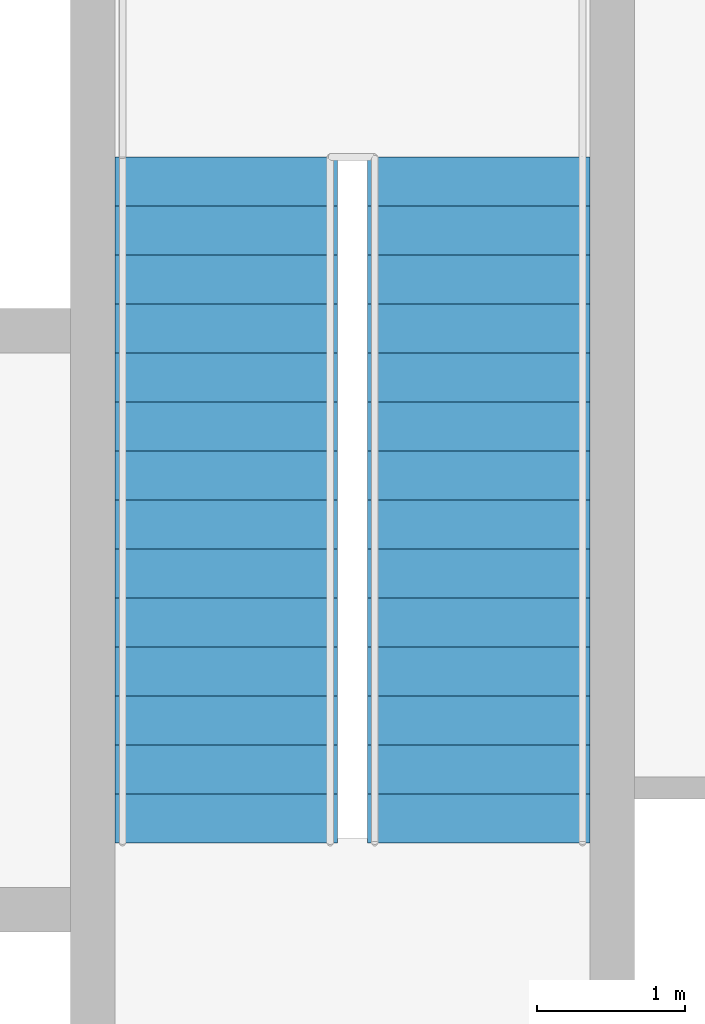
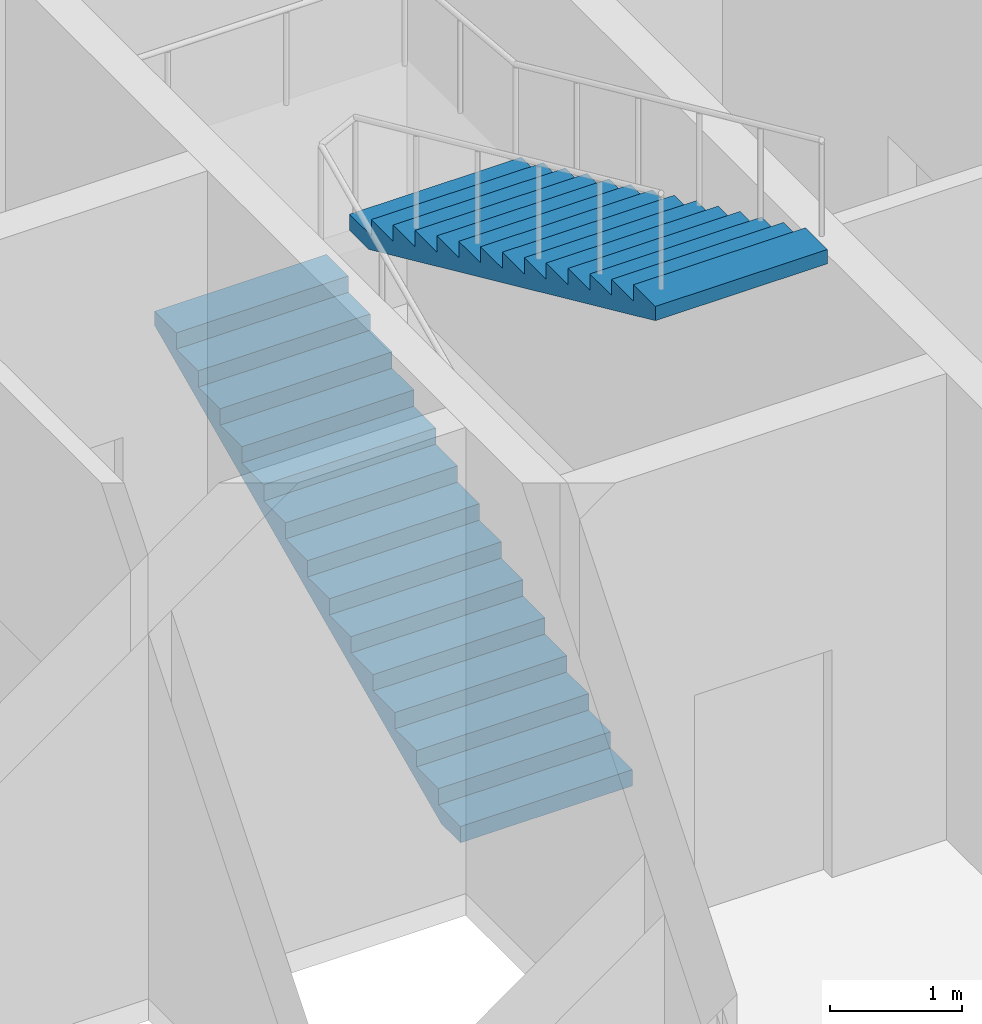
# One storey, part 10 of 11: 2 stair flights, 1 element without a shape of its own.
"""IFC4 building model written with IfcOpenShell, lengths in metres."""

from ifc_helpers import new_model, si_unit, direction, frame, origin, place, context, subcontext, project, spatial, polygons, material, type_object, element, aggregate, save


model = new_model("IFC4")

# Units and contexts
model_context = context("Model", 3, precision=1e-05, world=origin(), true_north=direction((0.0, 1.0)))
body_context = subcontext(model_context, "Body", "Model", "MODEL_VIEW")
ifc_project = project(units=[si_unit("LENGTHUNIT", "METRE"), si_unit("AREAUNIT", "SQUARE_METRE"), si_unit("VOLUMEUNIT", "CUBIC_METRE"), si_unit("PLANEANGLEUNIT", "RADIAN"), si_unit("MASSUNIT", "GRAM", prefix="KILO")], contexts=[model_context])

# Site, building, storey
site_placement = place(None, origin())
site = spatial("IfcSite", under=ifc_project, at=site_placement, CompositionType="ELEMENT")
building_placement = place(site_placement, origin())
building = spatial("IfcBuilding", under=site, at=building_placement, Name="Njiva Tower", CompositionType="ELEMENT")
storey_placement = place(building_placement, frame((0.0, 0.0, 115.8)))
storey = spatial("IfcBuildingStorey", under=building, at=storey_placement, Name="L24", CompositionType="ELEMENT", Elevation=115.8)

# Stair, stair flights
ifc_material = material(Name="Concrete C40/50", Category="concrete")
stair_type = type_object("IfcStairType", Name="ST4 Exit stair 1500", PredefinedType="HALF_TURN_STAIR", material=ifc_material)
stair_placement = place(storey_placement, origin())
stair = element("IfcStair", 1, at=stair_placement, inside=storey, type_object=stair_type, Name="Stair B", PredefinedType="HALF_TURN_STAIR")
stair_flight_type = type_object("IfcStairFlightType", Name="FL4 Stair flight 1500", PredefinedType="STRAIGHT", material=ifc_material)
stair_flight_1_placement = place(storey_placement, frame((11.75, 11.1, 0.0), z_axis=(0.0, 0.0, 1.0), x_axis=(0.0, 1.0, 0.0)))
stair_flight_1 = element("IfcStairFlight", 2, at=stair_flight_1_placement, type_object=stair_flight_type, Name="ST-B flight 1", NumberOfRisers=15, NumberOfTreads=14, PredefinedType="STRAIGHT", RiserHeight=0.15, TreadLength=0.33, context=body_context, shape_type="Tessellation", body=[
    polygons([(0.0, 0.75, 0.0), (0.0, 0.375, 0.0), (0.0, 0.0, 0.0), (0.0, -0.375, 0.0), (0.0, -0.75, 0.0), (0.0, 0.75, 0.15), (0.0, 0.375, 0.15), (0.0, 0.0, 0.15), (0.0, -0.375, 0.15), (0.0, -0.75, 0.15), (0.33, 0.75, 0.15), (0.33, 0.375, 0.15), (0.33, 0.0, 0.15), (0.33, -0.375, 0.15), (0.33, -0.75, 0.15), (0.33, 0.75, 0.3), (0.33, 0.375, 0.3), (0.33, 0.0, 0.3), (0.33, -0.375, 0.3), (0.33, -0.75, 0.3), (0.66, 0.75, 0.3), (0.66, 0.375, 0.3), (0.66, 0.0, 0.3), (0.66, -0.375, 0.3), (0.66, -0.75, 0.3), (0.66, 0.75, 0.45), (0.66, 0.375, 0.45), (0.66, 0.0, 0.45), (0.66, -0.375, 0.45), (0.66, -0.75, 0.45), (0.99, 0.75, 0.45), (0.99, 0.375, 0.45), (0.99, 0.0, 0.45), (0.99, -0.375, 0.45), (0.99, -0.75, 0.45), (0.99, 0.75, 0.6), (0.99, 0.375, 0.6), (0.99, 0.0, 0.6), (0.99, -0.375, 0.6), (0.99, -0.75, 0.6), (1.32, 0.75, 0.6), (1.32, 0.375, 0.6), (1.32, 0.0, 0.6), (1.32, -0.375, 0.6), (1.32, -0.75, 0.6), (1.32, 0.75, 0.75), (1.32, 0.375, 0.75), (1.32, 0.0, 0.75), (1.32, -0.375, 0.75), (1.32, -0.75, 0.75), (1.65, 0.75, 0.75), (1.65, 0.375, 0.75), (1.65, 0.0, 0.75), (1.65, -0.375, 0.75), (1.65, -0.75, 0.75), (1.65, 0.75, 0.9), (1.65, 0.375, 0.9), (1.65, 0.0, 0.9), (1.65, -0.375, 0.9), (1.65, -0.75, 0.9), (1.98, 0.75, 0.9), (1.98, 0.375, 0.9), (1.98, 0.0, 0.9), (1.98, -0.375, 0.9), (1.98, -0.75, 0.9), (1.98, 0.75, 1.05), (1.98, 0.375, 1.05), (1.98, 0.0, 1.05), (1.98, -0.375, 1.05), (1.98, -0.75, 1.05), (2.31, 0.75, 1.05), (2.31, 0.375, 1.05), (2.31, 0.0, 1.05), (2.31, -0.375, 1.05), (2.31, -0.75, 1.05), (2.31, 0.75, 1.2), (2.31, 0.375, 1.2), (2.31, 0.0, 1.2), (2.31, -0.375, 1.2), (2.31, -0.75, 1.2), (2.64, 0.75, 1.2), (2.64, 0.375, 1.2), (2.64, 0.0, 1.2), (2.64, -0.375, 1.2), (2.64, -0.75, 1.2), (2.64, 0.75, 1.35), (2.64, 0.375, 1.35), (2.64, 0.0, 1.35), (2.64, -0.375, 1.35), (2.64, -0.75, 1.35), (2.97, 0.75, 1.35), (2.97, 0.375, 1.35), (2.97, 0.0, 1.35), (2.97, -0.375, 1.35), (2.97, -0.75, 1.35), (2.97, 0.75, 1.5), (2.97, 0.375, 1.5), (2.97, 0.0, 1.5), (2.97, -0.375, 1.5), (2.97, -0.75, 1.5), (3.3, 0.75, 1.5), (3.3, 0.375, 1.5), (3.3, 0.0, 1.5), (3.3, -0.375, 1.5), (3.3, -0.75, 1.5), (3.3, 0.75, 1.65), (3.3, 0.375, 1.65), (3.3, 0.0, 1.65), (3.3, -0.375, 1.65), (3.3, -0.75, 1.65), (3.63, 0.75, 1.65), (3.63, 0.375, 1.65), (3.63, 0.0, 1.65), (3.63, -0.375, 1.65), (3.63, -0.75, 1.65), (3.63, 0.75, 1.8), (3.63, 0.375, 1.8), (3.63, 0.0, 1.8), (3.63, -0.375, 1.8), (3.63, -0.75, 1.8), (3.96, 0.75, 1.8), (3.96, 0.375, 1.8), (3.96, 0.0, 1.8), (3.96, -0.375, 1.8), (3.96, -0.75, 1.8), (3.96, 0.75, 1.95), (3.96, 0.375, 1.95), (3.96, 0.0, 1.95), (3.96, -0.375, 1.95), (3.96, -0.75, 1.95), (4.29, 0.75, 1.95), (4.29, 0.375, 1.95), (4.29, 0.0, 1.95), (4.29, -0.375, 1.95), (4.29, -0.75, 1.95), (4.29, 0.75, 2.1), (4.29, 0.375, 2.1), (4.29, 0.0, 2.1), (4.29, -0.375, 2.1), (4.29, -0.75, 2.1), (4.62, 0.75, 2.1), (4.62, 0.375, 2.1), (4.62, 0.0, 2.1), (4.62, -0.375, 2.1), (4.62, -0.75, 2.1), (4.62, 0.75, 1.9682), (4.62, 0.375, 1.9682), (4.62, 0.0, 1.9682), (4.62, -0.375, 1.9682), (4.62, -0.75, 1.9682), (0.29, 0.75, 0.0), (0.29, 0.375, 0.0), (0.29, 0.0, 0.0), (0.29, -0.375, 0.0), (0.29, -0.75, 0.0)], [[[1, 6, 11, 16, 21, 26, 31, 36, 41, 46, 51, 56, 61, 66, 71, 76, 81, 86, 91, 96, 101, 106, 111, 116, 121, 126, 131, 136, 141, 146, 151]], [[155, 150, 145, 140, 135, 130, 125, 120, 115, 110, 105, 100, 95, 90, 85, 80, 75, 70, 65, 60, 55, 50, 45, 40, 35, 30, 25, 20, 15, 10, 5]], [[6, 1, 2, 7]], [[7, 2, 3, 8]], [[8, 3, 4, 9]], [[9, 4, 5, 10]], [[11, 6, 7, 12]], [[12, 7, 8, 13]], [[13, 8, 9, 14]], [[14, 9, 10, 15]], [[16, 11, 12, 17]], [[17, 12, 13, 18]], [[18, 13, 14, 19]], [[19, 14, 15, 20]], [[21, 16, 17, 22]], [[22, 17, 18, 23]], [[23, 18, 19, 24]], [[24, 19, 20, 25]], [[26, 21, 22, 27]], [[27, 22, 23, 28]], [[28, 23, 24, 29]], [[29, 24, 25, 30]], [[31, 26, 27, 32]], [[32, 27, 28, 33]], [[33, 28, 29, 34]], [[34, 29, 30, 35]], [[36, 31, 32, 37]], [[37, 32, 33, 38]], [[38, 33, 34, 39]], [[39, 34, 35, 40]], [[41, 36, 37, 42]], [[42, 37, 38, 43]], [[43, 38, 39, 44]], [[44, 39, 40, 45]], [[46, 41, 42, 47]], [[47, 42, 43, 48]], [[48, 43, 44, 49]], [[49, 44, 45, 50]], [[51, 46, 47, 52]], [[52, 47, 48, 53]], [[53, 48, 49, 54]], [[54, 49, 50, 55]], [[56, 51, 52, 57]], [[57, 52, 53, 58]], [[58, 53, 54, 59]], [[59, 54, 55, 60]], [[61, 56, 57, 62]], [[62, 57, 58, 63]], [[63, 58, 59, 64]], [[64, 59, 60, 65]], [[66, 61, 62, 67]], [[67, 62, 63, 68]], [[68, 63, 64, 69]], [[69, 64, 65, 70]], [[71, 66, 67, 72]], [[72, 67, 68, 73]], [[73, 68, 69, 74]], [[74, 69, 70, 75]], [[76, 71, 72, 77]], [[77, 72, 73, 78]], [[78, 73, 74, 79]], [[79, 74, 75, 80]], [[81, 76, 77, 82]], [[82, 77, 78, 83]], [[83, 78, 79, 84]], [[84, 79, 80, 85]], [[86, 81, 82, 87]], [[87, 82, 83, 88]], [[88, 83, 84, 89]], [[89, 84, 85, 90]], [[91, 86, 87, 92]], [[92, 87, 88, 93]], [[93, 88, 89, 94]], [[94, 89, 90, 95]], [[96, 91, 92, 97]], [[97, 92, 93, 98]], [[98, 93, 94, 99]], [[99, 94, 95, 100]], [[101, 96, 97, 102]], [[102, 97, 98, 103]], [[103, 98, 99, 104]], [[104, 99, 100, 105]], [[106, 101, 102, 107]], [[107, 102, 103, 108]], [[108, 103, 104, 109]], [[109, 104, 105, 110]], [[111, 106, 107, 112]], [[112, 107, 108, 113]], [[113, 108, 109, 114]], [[114, 109, 110, 115]], [[116, 111, 112, 117]], [[117, 112, 113, 118]], [[118, 113, 114, 119]], [[119, 114, 115, 120]], [[121, 116, 117, 122]], [[122, 117, 118, 123]], [[123, 118, 119, 124]], [[124, 119, 120, 125]], [[126, 121, 122, 127]], [[127, 122, 123, 128]], [[128, 123, 124, 129]], [[129, 124, 125, 130]], [[131, 126, 127, 132]], [[132, 127, 128, 133]], [[133, 128, 129, 134]], [[134, 129, 130, 135]], [[136, 131, 132, 137]], [[137, 132, 133, 138]], [[138, 133, 134, 139]], [[139, 134, 135, 140]], [[141, 136, 137, 142]], [[142, 137, 138, 143]], [[143, 138, 139, 144]], [[144, 139, 140, 145]], [[146, 141, 142, 147]], [[147, 142, 143, 148]], [[148, 143, 144, 149]], [[149, 144, 145, 150]], [[151, 146, 147, 152]], [[152, 147, 148, 153]], [[153, 148, 149, 154]], [[154, 149, 150, 155]], [[1, 151, 152, 2]], [[2, 152, 153, 3]], [[3, 153, 154, 4]], [[4, 154, 155, 5]]], closed=True),
])
stair_flight_2_placement = place(storey_placement, frame((13.45, 15.72, 2.25), z_axis=(0.0, 0.0, 1.0), x_axis=(0.0, -1.0, 0.0)))
stair_flight_2 = element("IfcStairFlight", 3, at=stair_flight_2_placement, type_object=stair_flight_type, Name="ST-B flight 2", NumberOfRisers=15, NumberOfTreads=14, PredefinedType="STRAIGHT", RiserHeight=0.15, TreadLength=0.33, context=body_context, shape_type="Tessellation", body=[
    polygons([(0.0, 0.75, 0.0), (0.0, 0.375, 0.0), (0.0, 0.0, 0.0), (0.0, -0.375, 0.0), (0.0, -0.75, 0.0), (0.0, 0.75, 0.15), (0.0, 0.375, 0.15), (0.0, 0.0, 0.15), (0.0, -0.375, 0.15), (0.0, -0.75, 0.15), (0.33, 0.75, 0.15), (0.33, 0.375, 0.15), (0.33, 0.0, 0.15), (0.33, -0.375, 0.15), (0.33, -0.75, 0.15), (0.33, 0.75, 0.3), (0.33, 0.375, 0.3), (0.33, 0.0, 0.3), (0.33, -0.375, 0.3), (0.33, -0.75, 0.3), (0.66, 0.75, 0.3), (0.66, 0.375, 0.3), (0.66, 0.0, 0.3), (0.66, -0.375, 0.3), (0.66, -0.75, 0.3), (0.66, 0.75, 0.45), (0.66, 0.375, 0.45), (0.66, 0.0, 0.45), (0.66, -0.375, 0.45), (0.66, -0.75, 0.45), (0.99, 0.75, 0.45), (0.99, 0.375, 0.45), (0.99, 0.0, 0.45), (0.99, -0.375, 0.45), (0.99, -0.75, 0.45), (0.99, 0.75, 0.6), (0.99, 0.375, 0.6), (0.99, 0.0, 0.6), (0.99, -0.375, 0.6), (0.99, -0.75, 0.6), (1.32, 0.75, 0.6), (1.32, 0.375, 0.6), (1.32, 0.0, 0.6), (1.32, -0.375, 0.6), (1.32, -0.75, 0.6), (1.32, 0.75, 0.75), (1.32, 0.375, 0.75), (1.32, 0.0, 0.75), (1.32, -0.375, 0.75), (1.32, -0.75, 0.75), (1.65, 0.75, 0.75), (1.65, 0.375, 0.75), (1.65, 0.0, 0.75), (1.65, -0.375, 0.75), (1.65, -0.75, 0.75), (1.65, 0.75, 0.9), (1.65, 0.375, 0.9), (1.65, 0.0, 0.9), (1.65, -0.375, 0.9), (1.65, -0.75, 0.9), (1.98, 0.75, 0.9), (1.98, 0.375, 0.9), (1.98, 0.0, 0.9), (1.98, -0.375, 0.9), (1.98, -0.75, 0.9), (1.98, 0.75, 1.05), (1.98, 0.375, 1.05), (1.98, 0.0, 1.05), (1.98, -0.375, 1.05), (1.98, -0.75, 1.05), (2.31, 0.75, 1.05), (2.31, 0.375, 1.05), (2.31, 0.0, 1.05), (2.31, -0.375, 1.05), (2.31, -0.75, 1.05), (2.31, 0.75, 1.2), (2.31, 0.375, 1.2), (2.31, 0.0, 1.2), (2.31, -0.375, 1.2), (2.31, -0.75, 1.2), (2.64, 0.75, 1.2), (2.64, 0.375, 1.2), (2.64, 0.0, 1.2), (2.64, -0.375, 1.2), (2.64, -0.75, 1.2), (2.64, 0.75, 1.35), (2.64, 0.375, 1.35), (2.64, 0.0, 1.35), (2.64, -0.375, 1.35), (2.64, -0.75, 1.35), (2.97, 0.75, 1.35), (2.97, 0.375, 1.35), (2.97, 0.0, 1.35), (2.97, -0.375, 1.35), (2.97, -0.75, 1.35), (2.97, 0.75, 1.5), (2.97, 0.375, 1.5), (2.97, 0.0, 1.5), (2.97, -0.375, 1.5), (2.97, -0.75, 1.5), (3.3, 0.75, 1.5), (3.3, 0.375, 1.5), (3.3, 0.0, 1.5), (3.3, -0.375, 1.5), (3.3, -0.75, 1.5), (3.3, 0.75, 1.65), (3.3, 0.375, 1.65), (3.3, 0.0, 1.65), (3.3, -0.375, 1.65), (3.3, -0.75, 1.65), (3.63, 0.75, 1.65), (3.63, 0.375, 1.65), (3.63, 0.0, 1.65), (3.63, -0.375, 1.65), (3.63, -0.75, 1.65), (3.63, 0.75, 1.8), (3.63, 0.375, 1.8), (3.63, 0.0, 1.8), (3.63, -0.375, 1.8), (3.63, -0.75, 1.8), (3.96, 0.75, 1.8), (3.96, 0.375, 1.8), (3.96, 0.0, 1.8), (3.96, -0.375, 1.8), (3.96, -0.75, 1.8), (3.96, 0.75, 1.95), (3.96, 0.375, 1.95), (3.96, 0.0, 1.95), (3.96, -0.375, 1.95), (3.96, -0.75, 1.95), (4.29, 0.75, 1.95), (4.29, 0.375, 1.95), (4.29, 0.0, 1.95), (4.29, -0.375, 1.95), (4.29, -0.75, 1.95), (4.29, 0.75, 2.1), (4.29, 0.375, 2.1), (4.29, 0.0, 2.1), (4.29, -0.375, 2.1), (4.29, -0.75, 2.1), (4.62, 0.75, 2.1), (4.62, 0.375, 2.1), (4.62, 0.0, 2.1), (4.62, -0.375, 2.1), (4.62, -0.75, 2.1), (4.62, 0.75, 1.9682), (4.62, 0.375, 1.9682), (4.62, 0.0, 1.9682), (4.62, -0.375, 1.9682), (4.62, -0.75, 1.9682), (0.29, 0.75, 0.0), (0.29, 0.375, 0.0), (0.29, 0.0, 0.0), (0.29, -0.375, 0.0), (0.29, -0.75, 0.0)], [[[1, 6, 11, 16, 21, 26, 31, 36, 41, 46, 51, 56, 61, 66, 71, 76, 81, 86, 91, 96, 101, 106, 111, 116, 121, 126, 131, 136, 141, 146, 151]], [[155, 150, 145, 140, 135, 130, 125, 120, 115, 110, 105, 100, 95, 90, 85, 80, 75, 70, 65, 60, 55, 50, 45, 40, 35, 30, 25, 20, 15, 10, 5]], [[6, 1, 2, 7]], [[7, 2, 3, 8]], [[8, 3, 4, 9]], [[9, 4, 5, 10]], [[11, 6, 7, 12]], [[12, 7, 8, 13]], [[13, 8, 9, 14]], [[14, 9, 10, 15]], [[16, 11, 12, 17]], [[17, 12, 13, 18]], [[18, 13, 14, 19]], [[19, 14, 15, 20]], [[21, 16, 17, 22]], [[22, 17, 18, 23]], [[23, 18, 19, 24]], [[24, 19, 20, 25]], [[26, 21, 22, 27]], [[27, 22, 23, 28]], [[28, 23, 24, 29]], [[29, 24, 25, 30]], [[31, 26, 27, 32]], [[32, 27, 28, 33]], [[33, 28, 29, 34]], [[34, 29, 30, 35]], [[36, 31, 32, 37]], [[37, 32, 33, 38]], [[38, 33, 34, 39]], [[39, 34, 35, 40]], [[41, 36, 37, 42]], [[42, 37, 38, 43]], [[43, 38, 39, 44]], [[44, 39, 40, 45]], [[46, 41, 42, 47]], [[47, 42, 43, 48]], [[48, 43, 44, 49]], [[49, 44, 45, 50]], [[51, 46, 47, 52]], [[52, 47, 48, 53]], [[53, 48, 49, 54]], [[54, 49, 50, 55]], [[56, 51, 52, 57]], [[57, 52, 53, 58]], [[58, 53, 54, 59]], [[59, 54, 55, 60]], [[61, 56, 57, 62]], [[62, 57, 58, 63]], [[63, 58, 59, 64]], [[64, 59, 60, 65]], [[66, 61, 62, 67]], [[67, 62, 63, 68]], [[68, 63, 64, 69]], [[69, 64, 65, 70]], [[71, 66, 67, 72]], [[72, 67, 68, 73]], [[73, 68, 69, 74]], [[74, 69, 70, 75]], [[76, 71, 72, 77]], [[77, 72, 73, 78]], [[78, 73, 74, 79]], [[79, 74, 75, 80]], [[81, 76, 77, 82]], [[82, 77, 78, 83]], [[83, 78, 79, 84]], [[84, 79, 80, 85]], [[86, 81, 82, 87]], [[87, 82, 83, 88]], [[88, 83, 84, 89]], [[89, 84, 85, 90]], [[91, 86, 87, 92]], [[92, 87, 88, 93]], [[93, 88, 89, 94]], [[94, 89, 90, 95]], [[96, 91, 92, 97]], [[97, 92, 93, 98]], [[98, 93, 94, 99]], [[99, 94, 95, 100]], [[101, 96, 97, 102]], [[102, 97, 98, 103]], [[103, 98, 99, 104]], [[104, 99, 100, 105]], [[106, 101, 102, 107]], [[107, 102, 103, 108]], [[108, 103, 104, 109]], [[109, 104, 105, 110]], [[111, 106, 107, 112]], [[112, 107, 108, 113]], [[113, 108, 109, 114]], [[114, 109, 110, 115]], [[116, 111, 112, 117]], [[117, 112, 113, 118]], [[118, 113, 114, 119]], [[119, 114, 115, 120]], [[121, 116, 117, 122]], [[122, 117, 118, 123]], [[123, 118, 119, 124]], [[124, 119, 120, 125]], [[126, 121, 122, 127]], [[127, 122, 123, 128]], [[128, 123, 124, 129]], [[129, 124, 125, 130]], [[131, 126, 127, 132]], [[132, 127, 128, 133]], [[133, 128, 129, 134]], [[134, 129, 130, 135]], [[136, 131, 132, 137]], [[137, 132, 133, 138]], [[138, 133, 134, 139]], [[139, 134, 135, 140]], [[141, 136, 137, 142]], [[142, 137, 138, 143]], [[143, 138, 139, 144]], [[144, 139, 140, 145]], [[146, 141, 142, 147]], [[147, 142, 143, 148]], [[148, 143, 144, 149]], [[149, 144, 145, 150]], [[151, 146, 147, 152]], [[152, 147, 148, 153]], [[153, 148, 149, 154]], [[154, 149, 150, 155]], [[1, 151, 152, 2]], [[2, 152, 153, 3]], [[3, 153, 154, 4]], [[4, 154, 155, 5]]], closed=True),
])
aggregate(stair, [stair_flight_1, stair_flight_2])

save(model, "model.ifc")
